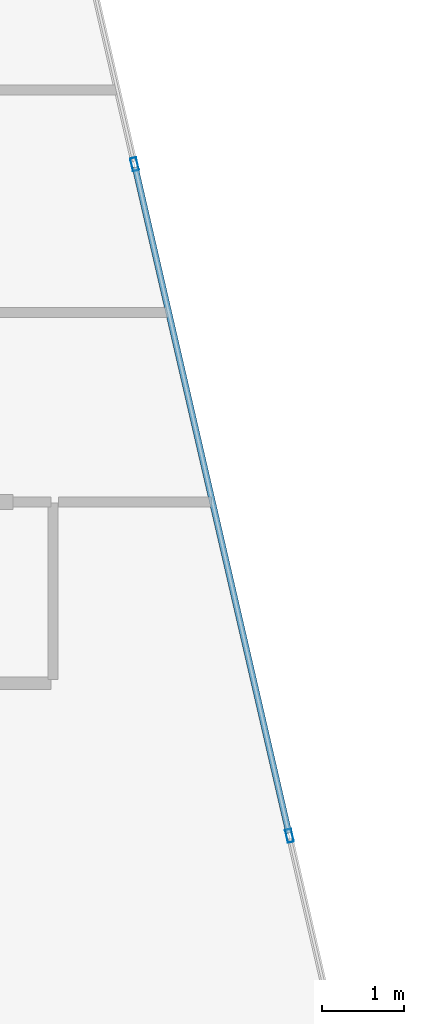
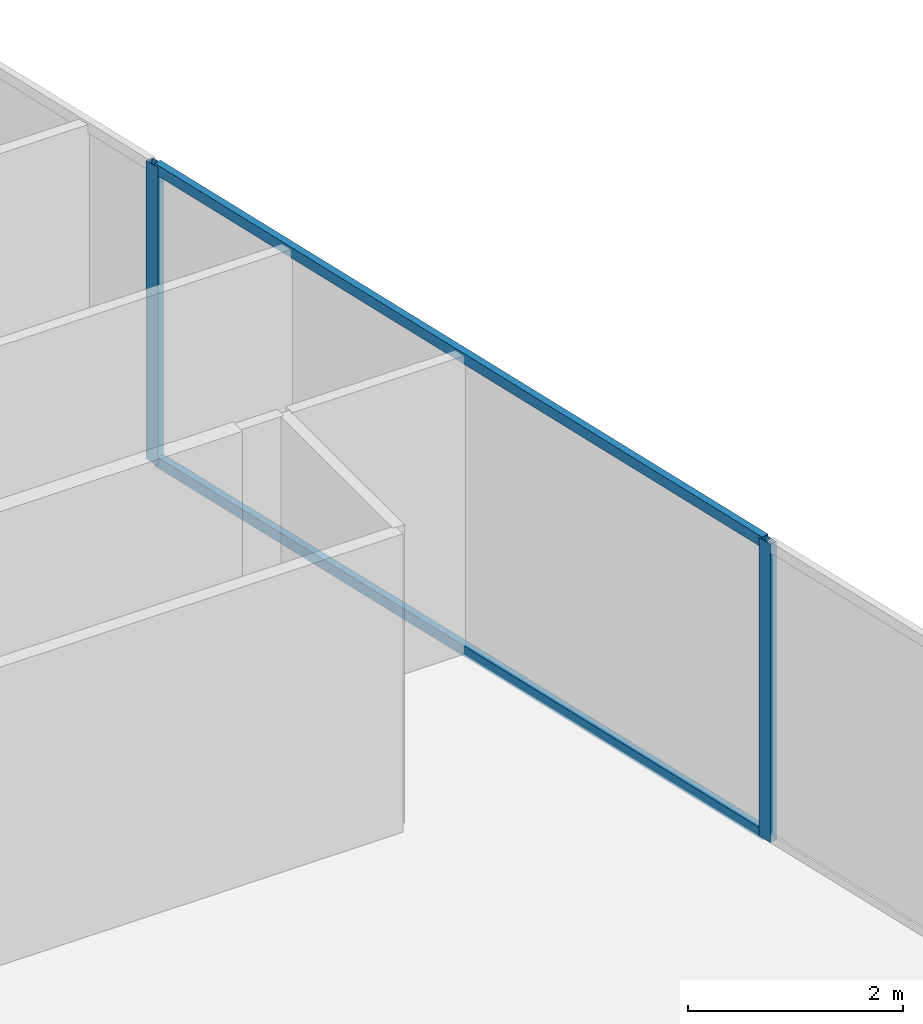
# One storey, part 20 of 29: 4 members, 1 element without a shape of its own.
"""IFC4 building model written with IfcOpenShell, lengths in metres."""

from ifc_helpers import new_model, si_unit, direction, frame, origin, origin_2d, place, context, subcontext, project, spatial, hollow_rectangle, extrude, material, layer, layer_set, material_profile, profile_set, type_object, element, aggregate, save


model = new_model("IFC4")

# Units and contexts
model_context = context("Model", 3, precision=1e-05, world=origin(), true_north=direction((0.0, 1.0)))
body_context = subcontext(model_context, "Body", "Model", "MODEL_VIEW")
ifc_project = project(units=[si_unit("LENGTHUNIT", "METRE"), si_unit("AREAUNIT", "SQUARE_METRE"), si_unit("VOLUMEUNIT", "CUBIC_METRE"), si_unit("PLANEANGLEUNIT", "RADIAN"), si_unit("MASSUNIT", "GRAM", prefix="KILO")], contexts=[model_context])

# Site, building, storey
site_placement = place(None, origin())
site = spatial("IfcSite", under=ifc_project, at=site_placement, CompositionType="ELEMENT")
building_placement = place(site_placement, origin())
building = spatial("IfcBuilding", under=site, at=building_placement, Name="Keshet Zoharim Tower", CompositionType="ELEMENT")
storey_placement = place(building_placement, frame((0.0, 0.0, 176.5)))
storey = spatial("IfcBuildingStorey", under=building, at=storey_placement, Name="L43", CompositionType="ELEMENT", Elevation=176.5)

# Curtain wall, members
ifc_material = material(Name="Aluminium 6063-T6", Category="aluminium")
ifc_layer = layer(ifc_material, 0.139892578125)
ifc_layer_set = layer_set([ifc_layer], Name="Aluminium 6063-T6")
curtain_wall_type = type_object("IfcCurtainWallType", Name="CW-SYS-05", PredefinedType="NOTDEFINED", material=ifc_layer_set)
curtain_wall_placement = place(storey_placement, origin())
curtain_wall = element("IfcCurtainWall", 1, at=curtain_wall_placement, inside=storey, type_object=curtain_wall_type, Name="L43 Unitised Curtain Wall 19", PredefinedType="NOTDEFINED")
ifc_material_profile_1 = material_profile(ifc_material, hollow_rectangle(XDim=0.074951171875, YDim=0.159912109375, WallThickness=0.00390625, at=origin_2d()), Name="MUL-75x160")
ifc_profile_set_1 = profile_set([ifc_material_profile_1], Name="Aluminium 6063-T6")
member_type_1 = type_object("IfcMemberType", Name="CWM-M15", PredefinedType="MULLION", material=ifc_profile_set_1)
member_1_placement = place(storey_placement, frame((41.23876953125, 44.199951171875, 0.0), z_axis=(0.0, 0.0, 1.0), x_axis=(0.974393882313, 0.224847864369, 0.0)))
member_1 = element("IfcMember", 2, at=member_1_placement, type_object=member_type_1, Name="CW-05 mullion 2", PredefinedType="MULLION", context=body_context, shape_type="SweptSolid", body=[
    extrude(hollow_rectangle(XDim=0.074951171875, YDim=0.159912109375, WallThickness=0.00390625, at=origin_2d()), origin(), (0.0, 0.0, 1.0), 3.389892578125),
])
member_2_placement = place(storey_placement, frame((43.119384765625, 36.050048828125, 0.0), z_axis=(0.0, 0.0, 1.0), x_axis=(0.974393882313, 0.224847864369, 0.0)))
member_2 = element("IfcMember", 3, at=member_2_placement, type_object=member_type_1, Name="CW-05 mullion 3", PredefinedType="MULLION", context=body_context, shape_type="SweptSolid", body=[
    extrude(hollow_rectangle(XDim=0.074951171875, YDim=0.159912109375, WallThickness=0.00390625, at=origin_2d()), origin(), (0.0, 0.0, 1.0), 3.389892578125),
])
ifc_material_profile_2 = material_profile(ifc_material, hollow_rectangle(XDim=0.074951171875, YDim=0.1201171875, WallThickness=0.00390625, at=origin_2d()), Name="TRN-75x120")
ifc_profile_set_2 = profile_set([ifc_material_profile_2], Name="Aluminium 6063-T6")
member_type_2 = type_object("IfcMemberType", Name="CWT-T12", PredefinedType="USERDEFINED", material=ifc_profile_set_2)
member_3_placement = place(storey_placement, frame((41.24658203125, 44.166015625, 0.034912109375), z_axis=(0.224848758198, -0.974393676055, 0.0), x_axis=(0.974393676055, 0.224848758198, 0.0)))
member_3 = element("IfcMember", 4, at=member_3_placement, type_object=member_type_2, Name="CW-05 transom 2.1", ObjectType="TRANSOM", PredefinedType="USERDEFINED", context=body_context, shape_type="SweptSolid", body=[
    extrude(hollow_rectangle(XDim=0.074951171875, YDim=0.1201171875, WallThickness=0.00390625, at=origin_2d()), origin(), (0.0, 0.0, 1.0), 8.29443359375),
])
member_4_placement = place(storey_placement, frame((41.24658203125, 44.166015625, 3.35498046875), z_axis=(0.224848758198, -0.974393676055, 0.0), x_axis=(0.974393676055, 0.224848758198, 0.0)))
member_4 = element("IfcMember", 5, at=member_4_placement, type_object=member_type_2, Name="CW-05 transom 2.2", ObjectType="TRANSOM", PredefinedType="USERDEFINED", context=body_context, shape_type="SweptSolid", body=[
    extrude(hollow_rectangle(XDim=0.074951171875, YDim=0.1201171875, WallThickness=0.00390625, at=origin_2d()), origin(), (0.0, 0.0, 1.0), 8.29443359375),
])
aggregate(curtain_wall, [member_1, member_2, member_3, member_4])

save(model, "model.ifc")
